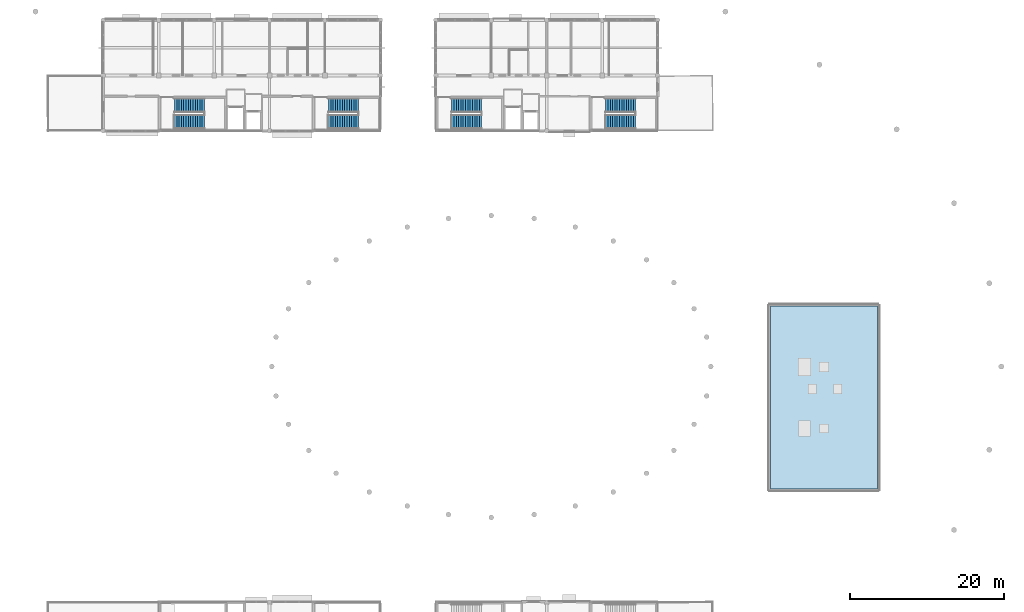
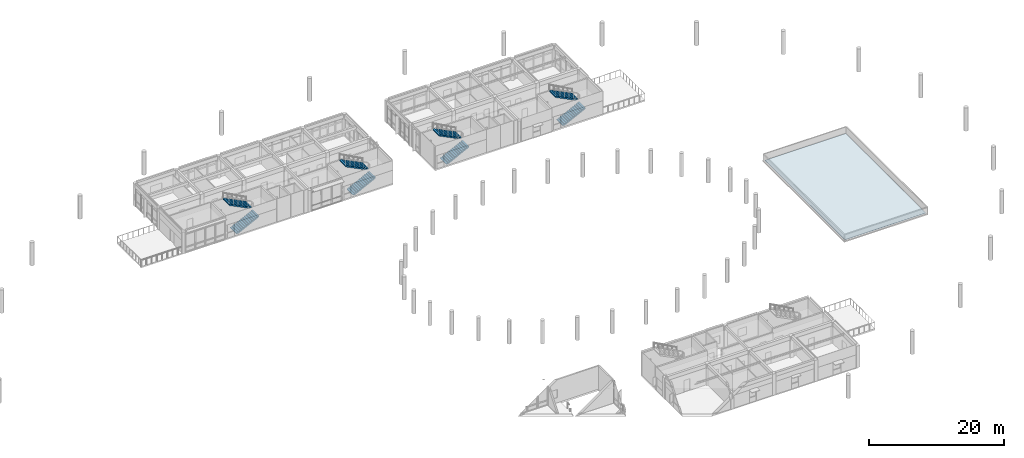
# One storey, part 24 of 41: 8 stair flights, 1 roof, 4 elements without a shape of their own.
"""IFC4 building model written with IfcOpenShell, lengths in metres."""

from ifc_helpers import new_model, si_unit, direction, frame, origin, place, context, subcontext, project, spatial, polyline, outline, extrude, material, layer, layer_set, type_object, element, aggregate, save


model = new_model("IFC4")

# Units and contexts
model_context = context("Model", 3, precision=1e-05, world=origin(), true_north=direction((0.0, 1.0)))
body_context = subcontext(model_context, "Body", "Model", "MODEL_VIEW")
ifc_project = project(units=[si_unit("LENGTHUNIT", "METRE"), si_unit("AREAUNIT", "SQUARE_METRE"), si_unit("VOLUMEUNIT", "CUBIC_METRE"), si_unit("PLANEANGLEUNIT", "RADIAN"), si_unit("MASSUNIT", "GRAM", prefix="KILO")], contexts=[model_context])

# Site, building, storey
site_placement = place(None, origin())
site = spatial("IfcSite", under=ifc_project, at=site_placement, CompositionType="ELEMENT")
building_placement = place(site_placement, origin())
building = spatial("IfcBuilding", under=site, at=building_placement, Name="Namkhue Oval Health Centre", CompositionType="ELEMENT")
storey_placement = place(building_placement, frame((0.0, 0.0, 13.800048828125)))
storey = spatial("IfcBuildingStorey", under=building, at=storey_placement, Name="L03", CompositionType="ELEMENT", Elevation=13.800048828125)

# Stair, stair flights
ifc_material_1 = material(Name="Reinforced concrete C30/37 (TCVN B35)", Category="concrete")
stair_type = type_object("IfcStairType", Name="DOGLEG EXIT STAIR H4200", PredefinedType="HALF_TURN_STAIR", material=ifc_material_1)
stair_1_placement = place(storey_placement, origin())
stair_1 = element("IfcStair", 1, at=stair_1_placement, inside=storey, type_object=stair_type, Name="Protected Exit Stair ST-03 L03", PredefinedType="HALF_TURN_STAIR")
stair_flight_type = type_object("IfcStairFlightType", Name="STRAIGHT STAIR FLIGHT 1850", PredefinedType="STRAIGHT", material=ifc_material_1)
stair_flight_1_placement = place(storey_placement, frame((59.64990234375, 91.175048828125, 0.0), z_axis=(0.0, 0.0, 1.0), x_axis=(1.0, 0.0, 0.0)))
stair_flight_1 = element("IfcStairFlight", 2, at=stair_flight_1_placement, type_object=stair_flight_type, Name="ST-03 flight 1", NumberOfRisers=14, NumberOfTreads=13, PredefinedType="STRAIGHT", RiserHeight=0.15, TreadLength=0.3, context=body_context, shape_type="SweptSolid", body=[
    extrude(outline(polyline([(0.0, 0.0), (0.0, 0.14990234375), (0.300048828125, 0.14990234375), (0.300048828125, 0.300048828125), (0.60009765625, 0.300048828125), (0.60009765625, 0.449951171875), (0.89990234375, 0.449951171875), (0.89990234375, 0.60009765625), (1.199951171875, 0.60009765625), (1.199951171875, 0.75), (1.5, 0.75), (1.5, 0.89990234375), (1.800048828125, 0.89990234375), (1.800048828125, 1.050048828125), (2.10009765625, 1.050048828125), (2.10009765625, 1.199951171875), (2.39990234375, 1.199951171875), (2.39990234375, 1.35009765625), (2.699951171875, 1.35009765625), (2.699951171875, 1.5), (3.0, 1.5), (3.0, 1.64990234375), (3.300048828125, 1.64990234375), (3.300048828125, 1.800048828125), (3.60009765625, 1.800048828125), (3.60009765625, 1.949951171875), (3.89990234375, 1.949951171875), (3.89990234375, 2.10009765625), (3.89990234375, 1.748779296875), (0.40234375, 0.0), (0.0, 0.0)])), frame((0.0, 0.925048828125, 0.0), z_axis=(0.0, -1.0, 0.0), x_axis=(1.0, 0.0, 0.0)), (0.0, 0.0, 1.0), 1.85009765625),
])
stair_flight_2_placement = place(storey_placement, frame((63.550048828125, 93.324951171875, 2.099853515625), z_axis=(0.0, 0.0, 1.0), x_axis=(-1.0, 0.0, 0.0)))
stair_flight_2 = element("IfcStairFlight", 3, at=stair_flight_2_placement, type_object=stair_flight_type, Name="ST-03 flight 2", NumberOfRisers=14, NumberOfTreads=13, PredefinedType="STRAIGHT", RiserHeight=0.15, TreadLength=0.3, context=body_context, shape_type="SweptSolid", body=[
    extrude(outline(polyline([(0.0, 0.0), (0.0, 0.14990234375), (0.300048828125, 0.14990234375), (0.300048828125, 0.300048828125), (0.60009765625, 0.300048828125), (0.60009765625, 0.449951171875), (0.89990234375, 0.449951171875), (0.89990234375, 0.60009765625), (1.199951171875, 0.60009765625), (1.199951171875, 0.75), (1.5, 0.75), (1.5, 0.89990234375), (1.800048828125, 0.89990234375), (1.800048828125, 1.050048828125), (2.10009765625, 1.050048828125), (2.10009765625, 1.199951171875), (2.39990234375, 1.199951171875), (2.39990234375, 1.35009765625), (2.699951171875, 1.35009765625), (2.699951171875, 1.5), (3.0, 1.5), (3.0, 1.64990234375), (3.300048828125, 1.64990234375), (3.300048828125, 1.800048828125), (3.60009765625, 1.800048828125), (3.60009765625, 1.949951171875), (3.89990234375, 1.949951171875), (3.89990234375, 2.10009765625), (3.89990234375, 1.748779296875), (0.40234375, 0.0), (0.0, 0.0)])), frame((0.0, 0.925048828125, 0.0), z_axis=(0.0, -1.0, 0.0), x_axis=(1.0, 0.0, 0.0)), (0.0, 0.0, 1.0), 1.85009765625),
])
aggregate(stair_1, [stair_flight_1, stair_flight_2])

stair_2_placement = place(storey_placement, origin())
stair_2 = element("IfcStair", 4, at=stair_2_placement, inside=storey, type_object=stair_type, Name="Protected Exit Stair ST-04 L03", PredefinedType="HALF_TURN_STAIR")
stair_flight_3_placement = place(storey_placement, frame((79.64990234375, 91.175048828125, 0.0), z_axis=(0.0, 0.0, 1.0), x_axis=(1.0, 0.0, 0.0)))
stair_flight_3 = element("IfcStairFlight", 5, at=stair_flight_3_placement, type_object=stair_flight_type, Name="ST-04 flight 1", NumberOfRisers=14, NumberOfTreads=13, PredefinedType="STRAIGHT", RiserHeight=0.15, TreadLength=0.3, context=body_context, shape_type="SweptSolid", body=[
    extrude(outline(polyline([(0.0, 0.0), (0.0, 0.14990234375), (0.300048828125, 0.14990234375), (0.300048828125, 0.300048828125), (0.60009765625, 0.300048828125), (0.60009765625, 0.449951171875), (0.89990234375, 0.449951171875), (0.89990234375, 0.60009765625), (1.199951171875, 0.60009765625), (1.199951171875, 0.75), (1.5, 0.75), (1.5, 0.89990234375), (1.800048828125, 0.89990234375), (1.800048828125, 1.050048828125), (2.10009765625, 1.050048828125), (2.10009765625, 1.199951171875), (2.39990234375, 1.199951171875), (2.39990234375, 1.35009765625), (2.699951171875, 1.35009765625), (2.699951171875, 1.5), (3.0, 1.5), (3.0, 1.64990234375), (3.300048828125, 1.64990234375), (3.300048828125, 1.800048828125), (3.60009765625, 1.800048828125), (3.60009765625, 1.949951171875), (3.89990234375, 1.949951171875), (3.89990234375, 2.10009765625), (3.89990234375, 1.748779296875), (0.40234375, 0.0), (0.0, 0.0)])), frame((0.0, 0.925048828125, 0.0), z_axis=(0.0, -1.0, 0.0), x_axis=(1.0, 0.0, 0.0)), (0.0, 0.0, 1.0), 1.85009765625),
])
stair_flight_4_placement = place(storey_placement, frame((83.550048828125, 93.324951171875, 2.099853515625), z_axis=(0.0, 0.0, 1.0), x_axis=(-1.0, 0.0, 0.0)))
stair_flight_4 = element("IfcStairFlight", 6, at=stair_flight_4_placement, type_object=stair_flight_type, Name="ST-04 flight 2", NumberOfRisers=14, NumberOfTreads=13, PredefinedType="STRAIGHT", RiserHeight=0.15, TreadLength=0.3, context=body_context, shape_type="SweptSolid", body=[
    extrude(outline(polyline([(0.0, 0.0), (0.0, 0.14990234375), (0.300048828125, 0.14990234375), (0.300048828125, 0.300048828125), (0.60009765625, 0.300048828125), (0.60009765625, 0.449951171875), (0.89990234375, 0.449951171875), (0.89990234375, 0.60009765625), (1.199951171875, 0.60009765625), (1.199951171875, 0.75), (1.5, 0.75), (1.5, 0.89990234375), (1.800048828125, 0.89990234375), (1.800048828125, 1.050048828125), (2.10009765625, 1.050048828125), (2.10009765625, 1.199951171875), (2.39990234375, 1.199951171875), (2.39990234375, 1.35009765625), (2.699951171875, 1.35009765625), (2.699951171875, 1.5), (3.0, 1.5), (3.0, 1.64990234375), (3.300048828125, 1.64990234375), (3.300048828125, 1.800048828125), (3.60009765625, 1.800048828125), (3.60009765625, 1.949951171875), (3.89990234375, 1.949951171875), (3.89990234375, 2.10009765625), (3.89990234375, 1.748779296875), (0.40234375, 0.0), (0.0, 0.0)])), frame((0.0, 0.925048828125, 0.0), z_axis=(0.0, -1.0, 0.0), x_axis=(1.0, 0.0, 0.0)), (0.0, 0.0, 1.0), 1.85009765625),
])
aggregate(stair_2, [stair_flight_3, stair_flight_4])

stair_3_placement = place(storey_placement, origin())
stair_3 = element("IfcStair", 7, at=stair_3_placement, inside=storey, type_object=stair_type, Name="Protected Exit Stair ST-05 L03", PredefinedType="HALF_TURN_STAIR")
stair_flight_5_placement = place(storey_placement, frame((95.64990234375, 91.175048828125, 0.0), z_axis=(0.0, 0.0, 1.0), x_axis=(1.0, 0.0, 0.0)))
stair_flight_5 = element("IfcStairFlight", 8, at=stair_flight_5_placement, type_object=stair_flight_type, Name="ST-05 flight 1", NumberOfRisers=14, NumberOfTreads=13, PredefinedType="STRAIGHT", RiserHeight=0.15, TreadLength=0.3, context=body_context, shape_type="SweptSolid", body=[
    extrude(outline(polyline([(0.0, 0.0), (0.0, 0.14990234375), (0.300048828125, 0.14990234375), (0.300048828125, 0.300048828125), (0.60009765625, 0.300048828125), (0.60009765625, 0.449951171875), (0.89990234375, 0.449951171875), (0.89990234375, 0.60009765625), (1.199951171875, 0.60009765625), (1.199951171875, 0.75), (1.5, 0.75), (1.5, 0.89990234375), (1.800048828125, 0.89990234375), (1.800048828125, 1.050048828125), (2.10009765625, 1.050048828125), (2.10009765625, 1.199951171875), (2.39990234375, 1.199951171875), (2.39990234375, 1.35009765625), (2.699951171875, 1.35009765625), (2.699951171875, 1.5), (3.0, 1.5), (3.0, 1.64990234375), (3.300048828125, 1.64990234375), (3.300048828125, 1.800048828125), (3.60009765625, 1.800048828125), (3.60009765625, 1.949951171875), (3.89990234375, 1.949951171875), (3.89990234375, 2.10009765625), (3.89990234375, 1.748779296875), (0.40234375, 0.0), (0.0, 0.0)])), frame((0.0, 0.925048828125, 0.0), z_axis=(0.0, -1.0, 0.0), x_axis=(1.0, 0.0, 0.0)), (0.0, 0.0, 1.0), 1.85009765625),
])
stair_flight_6_placement = place(storey_placement, frame((99.550048828125, 93.324951171875, 2.099853515625), z_axis=(0.0, 0.0, 1.0), x_axis=(-1.0, 0.0, 0.0)))
stair_flight_6 = element("IfcStairFlight", 9, at=stair_flight_6_placement, type_object=stair_flight_type, Name="ST-05 flight 2", NumberOfRisers=14, NumberOfTreads=13, PredefinedType="STRAIGHT", RiserHeight=0.15, TreadLength=0.3, context=body_context, shape_type="SweptSolid", body=[
    extrude(outline(polyline([(0.0, 0.0), (0.0, 0.14990234375), (0.300048828125, 0.14990234375), (0.300048828125, 0.300048828125), (0.60009765625, 0.300048828125), (0.60009765625, 0.449951171875), (0.89990234375, 0.449951171875), (0.89990234375, 0.60009765625), (1.199951171875, 0.60009765625), (1.199951171875, 0.75), (1.5, 0.75), (1.5, 0.89990234375), (1.800048828125, 0.89990234375), (1.800048828125, 1.050048828125), (2.10009765625, 1.050048828125), (2.10009765625, 1.199951171875), (2.39990234375, 1.199951171875), (2.39990234375, 1.35009765625), (2.699951171875, 1.35009765625), (2.699951171875, 1.5), (3.0, 1.5), (3.0, 1.64990234375), (3.300048828125, 1.64990234375), (3.300048828125, 1.800048828125), (3.60009765625, 1.800048828125), (3.60009765625, 1.949951171875), (3.89990234375, 1.949951171875), (3.89990234375, 2.10009765625), (3.89990234375, 1.748779296875), (0.40234375, 0.0), (0.0, 0.0)])), frame((0.0, 0.925048828125, 0.0), z_axis=(0.0, -1.0, 0.0), x_axis=(1.0, 0.0, 0.0)), (0.0, 0.0, 1.0), 1.85009765625),
])
aggregate(stair_3, [stair_flight_5, stair_flight_6])

stair_4_placement = place(storey_placement, origin())
stair_4 = element("IfcStair", 10, at=stair_4_placement, inside=storey, type_object=stair_type, Name="Protected Exit Stair ST-06 L03", PredefinedType="HALF_TURN_STAIR")
stair_flight_7_placement = place(storey_placement, frame((115.64990234375, 91.175048828125, 0.0), z_axis=(0.0, 0.0, 1.0), x_axis=(1.0, 0.0, 0.0)))
stair_flight_7 = element("IfcStairFlight", 11, at=stair_flight_7_placement, type_object=stair_flight_type, Name="ST-06 flight 1", NumberOfRisers=14, NumberOfTreads=13, PredefinedType="STRAIGHT", RiserHeight=0.15, TreadLength=0.3, context=body_context, shape_type="SweptSolid", body=[
    extrude(outline(polyline([(0.0, 0.0), (0.0, 0.14990234375), (0.300048828125, 0.14990234375), (0.300048828125, 0.300048828125), (0.60009765625, 0.300048828125), (0.60009765625, 0.449951171875), (0.89990234375, 0.449951171875), (0.89990234375, 0.60009765625), (1.199951171875, 0.60009765625), (1.199951171875, 0.75), (1.5, 0.75), (1.5, 0.89990234375), (1.800048828125, 0.89990234375), (1.800048828125, 1.050048828125), (2.10009765625, 1.050048828125), (2.10009765625, 1.199951171875), (2.39990234375, 1.199951171875), (2.39990234375, 1.35009765625), (2.699951171875, 1.35009765625), (2.699951171875, 1.5), (3.0, 1.5), (3.0, 1.64990234375), (3.300048828125, 1.64990234375), (3.300048828125, 1.800048828125), (3.60009765625, 1.800048828125), (3.60009765625, 1.949951171875), (3.89990234375, 1.949951171875), (3.89990234375, 2.10009765625), (3.89990234375, 1.748779296875), (0.40234375, 0.0), (0.0, 0.0)])), frame((0.0, 0.925048828125, 0.0), z_axis=(0.0, -1.0, 0.0), x_axis=(1.0, 0.0, 0.0)), (0.0, 0.0, 1.0), 1.85009765625),
])
stair_flight_8_placement = place(storey_placement, frame((119.550048828125, 93.324951171875, 2.099853515625), z_axis=(0.0, 0.0, 1.0), x_axis=(-1.0, 0.0, 0.0)))
stair_flight_8 = element("IfcStairFlight", 12, at=stair_flight_8_placement, type_object=stair_flight_type, Name="ST-06 flight 2", NumberOfRisers=14, NumberOfTreads=13, PredefinedType="STRAIGHT", RiserHeight=0.15, TreadLength=0.3, context=body_context, shape_type="SweptSolid", body=[
    extrude(outline(polyline([(0.0, 0.0), (0.0, 0.14990234375), (0.300048828125, 0.14990234375), (0.300048828125, 0.300048828125), (0.60009765625, 0.300048828125), (0.60009765625, 0.449951171875), (0.89990234375, 0.449951171875), (0.89990234375, 0.60009765625), (1.199951171875, 0.60009765625), (1.199951171875, 0.75), (1.5, 0.75), (1.5, 0.89990234375), (1.800048828125, 0.89990234375), (1.800048828125, 1.050048828125), (2.10009765625, 1.050048828125), (2.10009765625, 1.199951171875), (2.39990234375, 1.199951171875), (2.39990234375, 1.35009765625), (2.699951171875, 1.35009765625), (2.699951171875, 1.5), (3.0, 1.5), (3.0, 1.64990234375), (3.300048828125, 1.64990234375), (3.300048828125, 1.800048828125), (3.60009765625, 1.800048828125), (3.60009765625, 1.949951171875), (3.89990234375, 1.949951171875), (3.89990234375, 2.10009765625), (3.89990234375, 1.748779296875), (0.40234375, 0.0), (0.0, 0.0)])), frame((0.0, 0.925048828125, 0.0), z_axis=(0.0, -1.0, 0.0), x_axis=(1.0, 0.0, 0.0)), (0.0, 0.0, 1.0), 1.85009765625),
])
aggregate(stair_4, [stair_flight_7, stair_flight_8])

# Roof
ifc_material_2 = material(Name="Standing-seam aluminium-zinc insulated roofing", Category="aluminium")
ifc_layer = layer(ifc_material_2, 0.0400390625)
ifc_layer_set = layer_set([ifc_layer], Name="Standing-seam aluminium-zinc insulated roofing")
roof_type = type_object("IfcRoofType", Name="WING INSULATED FLAT ROOF ASSEMBLY", PredefinedType="FLAT_ROOF", material=ifc_layer_set)
roof_placement = place(storey_placement, frame((0.0, 0.0, 0.204833984375)))
element("IfcRoof", 13, at=roof_placement, inside=storey, type_object=roof_type, Name="Volume V6 L03 Insulated Flat Roof Assembly 1", PredefinedType="FLAT_ROOF", context=body_context, shape_type="SweptSolid", body=[
    extrude(outline(polyline([(137.06005859375, 43.4599609375), (137.06005859375, 67.239990234375), (150.93994140625, 67.239990234375), (150.93994140625, 43.4599609375), (137.06005859375, 43.4599609375)])), origin(), (0.0, 0.0, 1.0), 0.0400390625),
])

save(model, "model.ifc")
